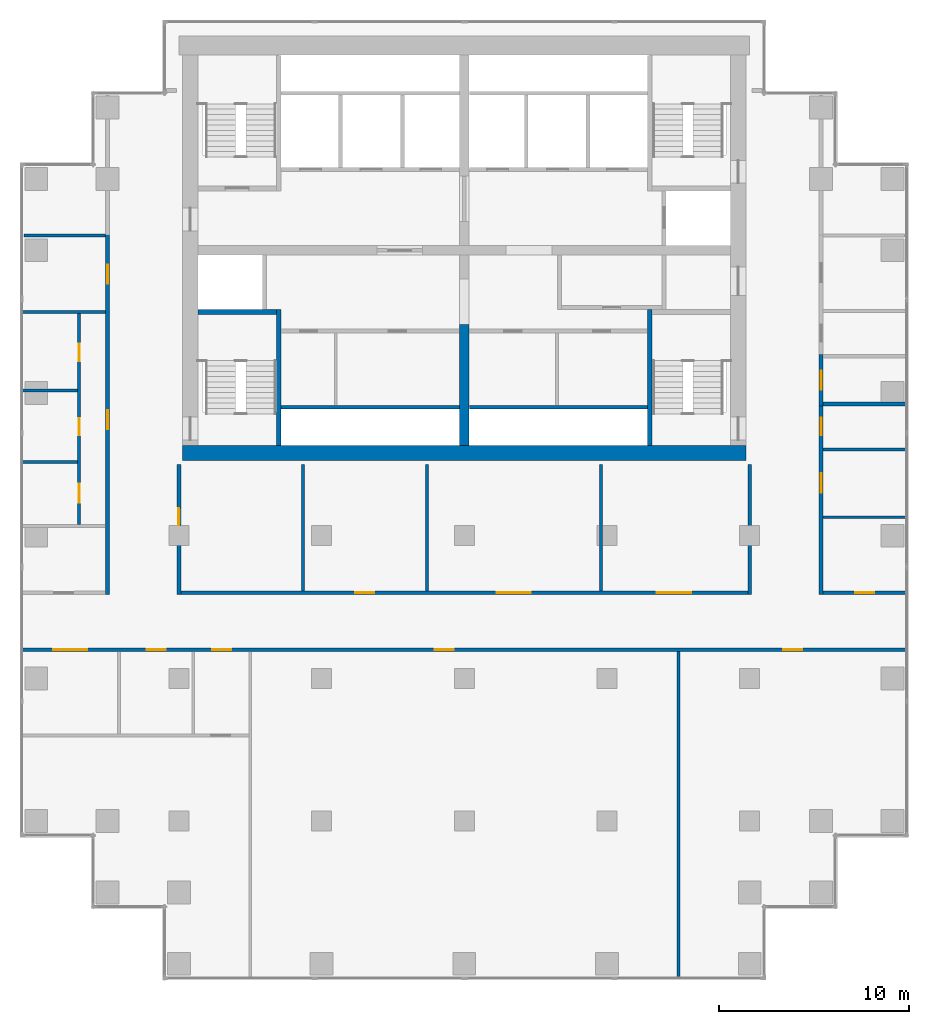
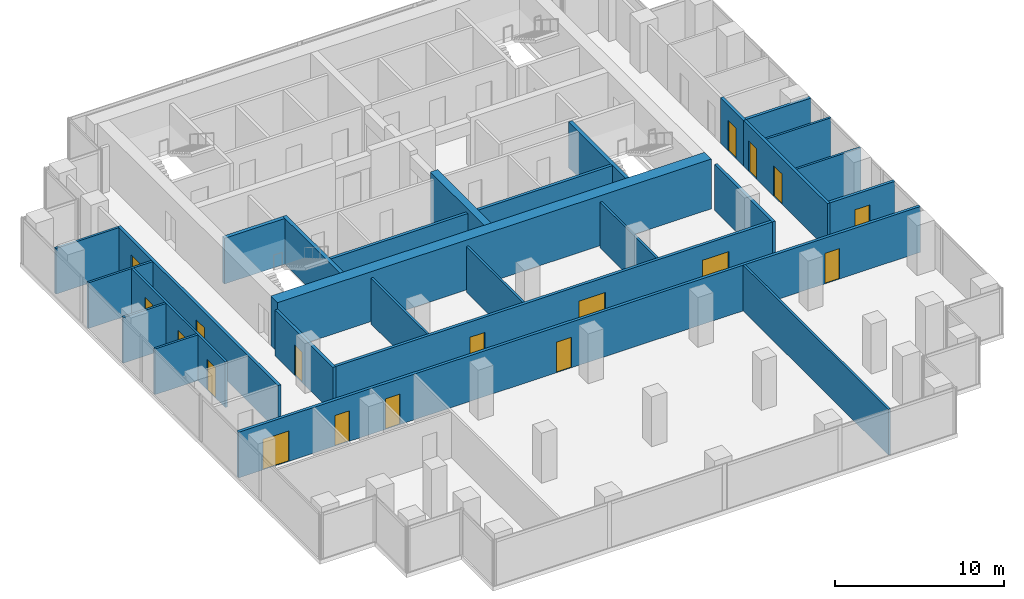
# One storey, part 7 of 10: 27 walls, 18 doors, 18 openings.
"""IFC4 building model written with IfcOpenShell, lengths in metres."""

from ifc_helpers import new_model, si_unit, direction, frame, frame_2d, origin, place, context, subcontext, project, spatial, rectangle, extrude, material, layer, layer_set, type_object, element, fill, save


model = new_model("IFC4")

# Units and contexts
model_context = context("Model", 3, precision=1e-05, world=origin(), true_north=direction((0.0, 1.0)))
body_context = subcontext(model_context, "Body", "Model", "MODEL_VIEW")
ifc_project = project(units=[si_unit("LENGTHUNIT", "METRE"), si_unit("AREAUNIT", "SQUARE_METRE"), si_unit("VOLUMEUNIT", "CUBIC_METRE"), si_unit("PLANEANGLEUNIT", "RADIAN"), si_unit("MASSUNIT", "GRAM", prefix="KILO")], contexts=[model_context])

# Site, building, storey
site_placement = place(None, origin())
site = spatial("IfcSite", under=ifc_project, at=site_placement, CompositionType="ELEMENT")
building_placement = place(site_placement, origin())
building = spatial("IfcBuilding", under=site, at=building_placement, Name="Pilkhan Gate Tower", CompositionType="ELEMENT")
storey_placement = place(building_placement, frame((0.0, 0.0, 154.89990234375)))
storey = spatial("IfcBuildingStorey", under=building, at=storey_placement, Name="L39", CompositionType="ELEMENT", Elevation=154.89990234375)

# Wall
ifc_material_1 = material(Name="Concrete C60/75", Category="concrete")
ifc_layer_1 = layer(ifc_material_1, 0.800048828125)
ifc_layer_set_1 = layer_set([ifc_layer_1], Name="Core wall CW800 C60/75")
wall_type_1 = type_object("IfcWallType", Name="Core wall CW800 C60/75", PredefinedType="SHEAR", material=ifc_layer_set_1)
wall_1_placement = place(storey_placement, frame((60.199951171875, 71.85009765625, 0.0), z_axis=(0.0, 0.0, 1.0), x_axis=(1.0, 0.0, 0.0)))
element("IfcWall", 1, at=wall_1_placement, inside=storey, type_object=wall_type_1, Name="Core wall S L39", PredefinedType="SHEAR", context=body_context, shape_type="SweptSolid", body=[
    extrude(rectangle(XDim=29.60009765625, YDim=0.800048828125, at=frame_2d((14.800048828125, 0.0))), origin(), (0.0, 0.0, 1.0), 3.60009765625),
])

# Wall, openings, doors
ifc_material_2 = material(Name="Dense blockwork", Category="masonry")
ifc_layer_2 = layer(ifc_material_2, 0.199951171875)
ifc_layer_set_2 = layer_set([ifc_layer_2], Name="Corridor wall FW200")
wall_type_2 = type_object("IfcWallType", Name="Corridor wall FW200", PredefinedType="PARTITIONING", material=ifc_layer_set_2)
wall_2_placement = place(storey_placement, frame((51.735107421875, 61.5, 0.0), z_axis=(0.0, 0.0, 1.0), x_axis=(1.0, 0.0, 0.0)))
wall_2 = element("IfcWall", 2, at=wall_2_placement, inside=storey, type_object=wall_type_2, Name="Partition L39", PredefinedType="PARTITIONING", context=body_context, shape_type="SweptSolid", body=[
    extrude(rectangle(XDim=46.52978515625, YDim=0.199951171875, at=frame_2d((23.264892578125, 0.0))), origin(), (0.0, 0.0, 1.0), 3.300048828125),
])
opening_1_placement = place(wall_2_placement, frame((10.014892578125, 0.0, 0.0)))
opening_1 = element("IfcOpeningElement", 3, at=opening_1_placement, cuts=wall_2, Name="Opening L39-06", PredefinedType="OPENING", context=body_context, shape_type="SweptSolid", body=[
    extrude(rectangle(XDim=1.0, YDim=2.199951171875, at=frame_2d((0.5, 1.10009765625))), frame((0.0, 0.10986328125, 0.0), z_axis=(0.0, -1.0, 0.0), x_axis=(1.0, 0.0, 0.0)), (0.0, 0.0, 1.0), 0.219970703125),
])
opening_2_placement = place(wall_2_placement, frame((1.64990234375, 0.0, 0.0)))
opening_2 = element("IfcOpeningElement", 4, at=opening_2_placement, cuts=wall_2, Name="Opening L39-18", PredefinedType="OPENING", context=body_context, shape_type="SweptSolid", body=[
    extrude(rectangle(XDim=1.800048828125, YDim=2.199951171875, at=frame_2d((0.89990234375, 1.10009765625))), frame((0.0, 0.10986328125, 0.0), z_axis=(0.0, -1.0, 0.0), x_axis=(1.0, 0.0, 0.0)), (0.0, 0.0, 1.0), 0.219970703125),
])
opening_3_placement = place(wall_2_placement, frame((6.571044921875, 0.0, 0.0)))
opening_3 = element("IfcOpeningElement", 5, at=opening_3_placement, cuts=wall_2, Name="Opening L39-19", PredefinedType="OPENING", context=body_context, shape_type="SweptSolid", body=[
    extrude(rectangle(XDim=1.0, YDim=2.199951171875, at=frame_2d((0.5, 1.10009765625))), frame((0.0, 0.10986328125, 0.0), z_axis=(0.0, -1.0, 0.0), x_axis=(1.0, 0.0, 0.0)), (0.0, 0.0, 1.0), 0.219970703125),
])
opening_4_placement = place(wall_2_placement, frame((21.715087890625, 0.0, 0.0)))
opening_4 = element("IfcOpeningElement", 6, at=opening_4_placement, cuts=wall_2, Name="Opening L39-21", PredefinedType="OPENING", context=body_context, shape_type="SweptSolid", body=[
    extrude(rectangle(XDim=1.0, YDim=2.199951171875, at=frame_2d((0.5, 1.10009765625))), frame((0.0, 0.10986328125, 0.0), z_axis=(0.0, -1.0, 0.0), x_axis=(1.0, 0.0, 0.0)), (0.0, 0.0, 1.0), 0.219970703125),
])
opening_5_placement = place(wall_2_placement, frame((40.014892578125, 0.0, 0.0)))
opening_5 = element("IfcOpeningElement", 7, at=opening_5_placement, cuts=wall_2, Name="Opening L39-22", PredefinedType="OPENING", context=body_context, shape_type="SweptSolid", body=[
    extrude(rectangle(XDim=1.0, YDim=2.199951171875, at=frame_2d((0.5, 1.10009765625))), frame((0.0, 0.10986328125, 0.0), z_axis=(0.0, -1.0, 0.0), x_axis=(1.0, 0.0, 0.0)), (0.0, 0.0, 1.0), 0.219970703125),
])
ifc_material_3 = material(Name="Timber glazed double door, 30 minute fire resisting", Category="wood")
door_type_1 = type_object("IfcDoorType", Name="Double door D04 1800x2200", OperationType="DOUBLE_DOOR_SINGLE_SWING", PredefinedType="DOOR", material=ifc_material_3)
door_1_placement = place(opening_2_placement, origin())
door_1 = element("IfcDoor", 8, at=door_1_placement, inside=storey, type_object=door_type_1, Name="Double door", OperationType="DOUBLE_DOOR_SINGLE_SWING", OverallHeight=2.199951171875, OverallWidth=1.800048828125, PredefinedType="DOOR", context=body_context, shape_type="SweptSolid", body=[
    extrude(rectangle(XDim=1.800048828125, YDim=2.199951171875, at=frame_2d((0.89990234375, 1.10009765625))), frame((0.0, 0.02490234375, 0.0), z_axis=(0.0, -1.0, 0.0), x_axis=(1.0, 0.0, 0.0)), (0.0, 0.0, 1.0), 0.050048828125),
])
fill(opening_2, door_1)
ifc_material_4 = material(Name="Timber flush door, 30 minute fire resisting", Category="wood")
door_type_2 = type_object("IfcDoorType", Name="Room door D03 1000x2200", OperationType="SINGLE_SWING_LEFT", PredefinedType="DOOR", material=ifc_material_4)
door_2_placement = place(opening_1_placement, origin())
door_2 = element("IfcDoor", 9, at=door_2_placement, inside=storey, type_object=door_type_2, Name="Room door", OperationType="SINGLE_SWING_RIGHT", OverallHeight=2.199951171875, OverallWidth=1.0, PredefinedType="DOOR", context=body_context, shape_type="SweptSolid", body=[
    extrude(rectangle(XDim=1.0, YDim=2.199951171875, at=frame_2d((0.5, 1.10009765625))), frame((0.0, 0.02490234375, 0.0), z_axis=(0.0, -1.0, 0.0), x_axis=(1.0, 0.0, 0.0)), (0.0, 0.0, 1.0), 0.050048828125),
])
fill(opening_1, door_2)
door_3_placement = place(opening_3_placement, origin())
door_3 = element("IfcDoor", 10, at=door_3_placement, inside=storey, type_object=door_type_2, Name="Room door", OperationType="SINGLE_SWING_LEFT", OverallHeight=2.199951171875, OverallWidth=1.0, PredefinedType="DOOR", context=body_context, shape_type="SweptSolid", body=[
    extrude(rectangle(XDim=1.0, YDim=2.199951171875, at=frame_2d((0.5, 1.10009765625))), frame((0.0, 0.02490234375, 0.0), z_axis=(0.0, -1.0, 0.0), x_axis=(1.0, 0.0, 0.0)), (0.0, 0.0, 1.0), 0.050048828125),
])
fill(opening_3, door_3)
door_4_placement = place(opening_4_placement, origin())
door_4 = element("IfcDoor", 11, at=door_4_placement, inside=storey, type_object=door_type_2, Name="Room door", OperationType="SINGLE_SWING_LEFT", OverallHeight=2.199951171875, OverallWidth=1.0, PredefinedType="DOOR", context=body_context, shape_type="SweptSolid", body=[
    extrude(rectangle(XDim=1.0, YDim=2.199951171875, at=frame_2d((0.5, 1.10009765625))), frame((0.0, 0.02490234375, 0.0), z_axis=(0.0, -1.0, 0.0), x_axis=(1.0, 0.0, 0.0)), (0.0, 0.0, 1.0), 0.050048828125),
])
fill(opening_4, door_4)
door_5_placement = place(opening_5_placement, origin())
door_5 = element("IfcDoor", 12, at=door_5_placement, inside=storey, type_object=door_type_2, Name="Room door", OperationType="SINGLE_SWING_LEFT", OverallHeight=2.199951171875, OverallWidth=1.0, PredefinedType="DOOR", context=body_context, shape_type="SweptSolid", body=[
    extrude(rectangle(XDim=1.0, YDim=2.199951171875, at=frame_2d((0.5, 1.10009765625))), frame((0.0, 0.02490234375, 0.0), z_axis=(0.0, -1.0, 0.0), x_axis=(1.0, 0.0, 0.0)), (0.0, 0.0, 1.0), 0.050048828125),
])
fill(opening_5, door_5)

wall_3_placement = place(storey_placement, frame((60.10009765625, 64.5, 0.0), z_axis=(0.0, 0.0, 1.0), x_axis=(1.0, 0.0, 0.0)))
wall_3 = element("IfcWall", 13, at=wall_3_placement, inside=storey, type_object=wall_type_2, Name="Partition L39", PredefinedType="PARTITIONING", context=body_context, shape_type="SweptSolid", body=[
    extrude(rectangle(XDim=29.7998046875, YDim=0.199951171875, at=frame_2d((14.89990234375, 0.0))), origin(), (0.0, 0.0, 1.0), 3.300048828125),
])
opening_6_placement = place(wall_3_placement, frame((9.172119140625, 0.0, 0.0)))
opening_6 = element("IfcOpeningElement", 14, at=opening_6_placement, cuts=wall_3, Name="Opening L39-32", PredefinedType="OPENING", context=body_context, shape_type="SweptSolid", body=[
    extrude(rectangle(XDim=1.0, YDim=2.199951171875, at=frame_2d((0.5, 1.10009765625))), frame((0.0, 0.10986328125, 0.0), z_axis=(0.0, -1.0, 0.0), x_axis=(1.0, 0.0, 0.0)), (0.0, 0.0, 1.0), 0.219970703125),
])
opening_7_placement = place(wall_3_placement, frame((16.593017578125, 0.0, 0.0)))
opening_7 = element("IfcOpeningElement", 15, at=opening_7_placement, cuts=wall_3, Name="Opening L39-33", PredefinedType="OPENING", context=body_context, shape_type="SweptSolid", body=[
    extrude(rectangle(XDim=1.800048828125, YDim=2.199951171875, at=frame_2d((0.89990234375, 1.10009765625))), frame((0.0, 0.10986328125, 0.0), z_axis=(0.0, -1.0, 0.0), x_axis=(1.0, 0.0, 0.0)), (0.0, 0.0, 1.0), 0.219970703125),
])
opening_8_placement = place(wall_3_placement, frame((25.02392578125, 0.0, 0.0)))
opening_8 = element("IfcOpeningElement", 16, at=opening_8_placement, cuts=wall_3, Name="Opening L39-34", PredefinedType="OPENING", context=body_context, shape_type="SweptSolid", body=[
    extrude(rectangle(XDim=1.800048828125, YDim=2.199951171875, at=frame_2d((0.89990234375, 1.10009765625))), frame((0.0, 0.10986328125, 0.0), z_axis=(0.0, -1.0, 0.0), x_axis=(1.0, 0.0, 0.0)), (0.0, 0.0, 1.0), 0.219970703125),
])
door_6_placement = place(opening_7_placement, origin())
door_6 = element("IfcDoor", 17, at=door_6_placement, inside=storey, type_object=door_type_1, Name="Double door", OperationType="DOUBLE_DOOR_SINGLE_SWING", OverallHeight=2.199951171875, OverallWidth=1.800048828125, PredefinedType="DOOR", context=body_context, shape_type="SweptSolid", body=[
    extrude(rectangle(XDim=1.800048828125, YDim=2.199951171875, at=frame_2d((0.89990234375, 1.10009765625))), frame((0.0, 0.02490234375, 0.0), z_axis=(0.0, -1.0, 0.0), x_axis=(1.0, 0.0, 0.0)), (0.0, 0.0, 1.0), 0.050048828125),
])
fill(opening_7, door_6)
door_7_placement = place(opening_8_placement, origin())
door_7 = element("IfcDoor", 18, at=door_7_placement, inside=storey, type_object=door_type_1, Name="Double door", OperationType="DOUBLE_DOOR_SINGLE_SWING", OverallHeight=2.199951171875, OverallWidth=1.800048828125, PredefinedType="DOOR", context=body_context, shape_type="SweptSolid", body=[
    extrude(rectangle(XDim=1.800048828125, YDim=2.199951171875, at=frame_2d((0.89990234375, 1.10009765625))), frame((0.0, 0.02490234375, 0.0), z_axis=(0.0, -1.0, 0.0), x_axis=(1.0, 0.0, 0.0)), (0.0, 0.0, 1.0), 0.050048828125),
])
fill(opening_8, door_7)
door_8_placement = place(opening_6_placement, origin())
door_8 = element("IfcDoor", 19, at=door_8_placement, inside=storey, type_object=door_type_2, Name="Room door", OperationType="SINGLE_SWING_LEFT", OverallHeight=2.199951171875, OverallWidth=1.0, PredefinedType="DOOR", context=body_context, shape_type="SweptSolid", body=[
    extrude(rectangle(XDim=1.0, YDim=2.199951171875, at=frame_2d((0.5, 1.10009765625))), frame((0.0, 0.02490234375, 0.0), z_axis=(0.0, -1.0, 0.0), x_axis=(1.0, 0.0, 0.0)), (0.0, 0.0, 1.0), 0.050048828125),
])
fill(opening_6, door_8)

# Wall, opening, door
wall_4_placement = place(storey_placement, frame((93.85009765625, 64.5, 0.0), z_axis=(0.0, 0.0, 1.0), x_axis=(1.0, 0.0, 0.0)))
wall_4 = element("IfcWall", 20, at=wall_4_placement, inside=storey, type_object=wall_type_2, Name="Partition L39", PredefinedType="PARTITIONING", context=body_context, shape_type="SweptSolid", body=[
    extrude(rectangle(XDim=4.414794921875, YDim=0.199951171875, at=frame_2d((2.20751953125, 0.0))), origin(), (0.0, 0.0, 1.0), 3.300048828125),
])
opening_9_placement = place(wall_4_placement, frame((1.699951171875, 0.0, 0.0)))
opening_9 = element("IfcOpeningElement", 21, at=opening_9_placement, cuts=wall_4, Name="Opening L39-27", PredefinedType="OPENING", context=body_context, shape_type="SweptSolid", body=[
    extrude(rectangle(XDim=1.0, YDim=2.199951171875, at=frame_2d((0.5, 1.10009765625))), frame((0.0, 0.10986328125, 0.0), z_axis=(0.0, -1.0, 0.0), x_axis=(1.0, 0.0, 0.0)), (0.0, 0.0, 1.0), 0.219970703125),
])
door_9_placement = place(opening_9_placement, origin())
door_9 = element("IfcDoor", 22, at=door_9_placement, inside=storey, type_object=door_type_2, Name="Room door", OperationType="SINGLE_SWING_LEFT", OverallHeight=2.199951171875, OverallWidth=1.0, PredefinedType="DOOR", context=body_context, shape_type="SweptSolid", body=[
    extrude(rectangle(XDim=1.0, YDim=2.199951171875, at=frame_2d((0.5, 1.10009765625))), frame((0.0, 0.02490234375, 0.0), z_axis=(0.0, -1.0, 0.0), x_axis=(1.0, 0.0, 0.0)), (0.0, 0.0, 1.0), 0.050048828125),
])
fill(opening_9, door_9)

# Wall, openings, doors
wall_5_placement = place(storey_placement, frame((56.25, 64.39990234375, 0.0), z_axis=(0.0, 0.0, 1.0), x_axis=(0.0, 1.0, 0.0)))
wall_5 = element("IfcWall", 23, at=wall_5_placement, inside=storey, type_object=wall_type_2, Name="Partition L39", PredefinedType="PARTITIONING", context=body_context, shape_type="SweptSolid", body=[
    extrude(rectangle(XDim=18.955078125, YDim=0.199951171875, at=frame_2d((9.4775390625, 0.0))), origin(), (0.0, 0.0, 1.0), 3.300048828125),
])
opening_10_placement = place(wall_5_placement, frame((8.699951171875, 0.0, 0.0)))
opening_10 = element("IfcOpeningElement", 24, at=opening_10_placement, cuts=wall_5, Name="Opening L39-07", PredefinedType="OPENING", context=body_context, shape_type="SweptSolid", body=[
    extrude(rectangle(XDim=1.0, YDim=2.199951171875, at=frame_2d((0.5, 1.10009765625))), frame((0.0, 0.10986328125, 0.0), z_axis=(0.0, -1.0, 0.0), x_axis=(1.0, 0.0, 0.0)), (0.0, 0.0, 1.0), 0.219970703125),
])
opening_11_placement = place(wall_5_placement, frame((16.35009765625, 0.0, 0.0)))
opening_11 = element("IfcOpeningElement", 25, at=opening_11_placement, cuts=wall_5, Name="Opening L39-08", PredefinedType="OPENING", context=body_context, shape_type="SweptSolid", body=[
    extrude(rectangle(XDim=1.0, YDim=2.199951171875, at=frame_2d((0.5, 1.10009765625))), frame((0.0, 0.10986328125, 0.0), z_axis=(0.0, -1.0, 0.0), x_axis=(1.0, 0.0, 0.0)), (0.0, 0.0, 1.0), 0.219970703125),
])
door_10_placement = place(opening_10_placement, origin())
door_10 = element("IfcDoor", 26, at=door_10_placement, inside=storey, type_object=door_type_2, Name="Toilet lobby door", OperationType="SINGLE_SWING_RIGHT", OverallHeight=2.199951171875, OverallWidth=1.0, PredefinedType="DOOR", context=body_context, shape_type="SweptSolid", body=[
    extrude(rectangle(XDim=1.0, YDim=2.199951171875, at=frame_2d((0.5, 1.10009765625))), frame((0.0, 0.02490234375, 0.0), z_axis=(0.0, -1.0, 0.0), x_axis=(1.0, 0.0, 0.0)), (0.0, 0.0, 1.0), 0.050048828125),
])
fill(opening_10, door_10)
door_11_placement = place(opening_11_placement, origin())
door_11 = element("IfcDoor", 27, at=door_11_placement, inside=storey, type_object=door_type_2, Name="Room door", OperationType="SINGLE_SWING_LEFT", OverallHeight=2.199951171875, OverallWidth=1.0, PredefinedType="DOOR", context=body_context, shape_type="SweptSolid", body=[
    extrude(rectangle(XDim=1.0, YDim=2.199951171875, at=frame_2d((0.5, 1.10009765625))), frame((0.0, 0.02490234375, 0.0), z_axis=(0.0, -1.0, 0.0), x_axis=(1.0, 0.0, 0.0)), (0.0, 0.0, 1.0), 0.050048828125),
])
fill(opening_11, door_11)

# Wall, opening, door
wall_6_placement = place(storey_placement, frame((60.0, 64.39990234375, 0.0), z_axis=(0.0, 0.0, 1.0), x_axis=(0.0, 1.0, 0.0)))
wall_6 = element("IfcWall", 28, at=wall_6_placement, inside=storey, type_object=wall_type_2, Name="Partition L39", PredefinedType="PARTITIONING", context=body_context, shape_type="SweptSolid", body=[
    extrude(rectangle(XDim=6.85009765625, YDim=0.199951171875, at=frame_2d((3.425048828125, 0.0))), origin(), (0.0, 0.0, 1.0), 3.300048828125),
])
opening_12_placement = place(wall_6_placement, frame((3.64990234375, 0.0, 0.0)))
opening_12 = element("IfcOpeningElement", 29, at=opening_12_placement, cuts=wall_6, Name="Opening L39-31", PredefinedType="OPENING", context=body_context, shape_type="SweptSolid", body=[
    extrude(rectangle(XDim=0.89990234375, YDim=2.199951171875, at=frame_2d((0.449951171875, 1.10009765625))), frame((0.0, 0.10986328125, 0.0), z_axis=(0.0, -1.0, 0.0), x_axis=(1.0, 0.0, 0.0)), (0.0, 0.0, 1.0), 0.219970703125),
])
ifc_material_5 = material(Name="Timber flush door, 60 minute fire resisting, self-closing", Category="wood")
door_type_3 = type_object("IfcDoorType", Name="Store door D05 900x2200", OperationType="SINGLE_SWING_LEFT", PredefinedType="DOOR", material=ifc_material_5)
door_12_placement = place(opening_12_placement, origin())
door_12 = element("IfcDoor", 30, at=door_12_placement, inside=storey, type_object=door_type_3, Name="Store door", OperationType="SINGLE_SWING_LEFT", OverallHeight=2.199951171875, OverallWidth=0.89990234375, PredefinedType="DOOR", context=body_context, shape_type="SweptSolid", body=[
    extrude(rectangle(XDim=0.89990234375, YDim=2.199951171875, at=frame_2d((0.449951171875, 1.10009765625))), frame((0.0, 0.02490234375, 0.0), z_axis=(0.0, -1.0, 0.0), x_axis=(1.0, 0.0, 0.0)), (0.0, 0.0, 1.0), 0.050048828125),
])
fill(opening_12, door_12)

# Wall
wall_7_placement = place(storey_placement, frame((90.0, 64.39990234375, 0.0), z_axis=(0.0, 0.0, 1.0), x_axis=(0.0, 1.0, 0.0)))
element("IfcWall", 31, at=wall_7_placement, inside=storey, type_object=wall_type_2, Name="Partition L39", PredefinedType="PARTITIONING", context=body_context, shape_type="SweptSolid", body=[
    extrude(rectangle(XDim=6.85009765625, YDim=0.199951171875, at=frame_2d((3.425048828125, 0.0))), origin(), (0.0, 0.0, 1.0), 3.300048828125),
])

# Wall, openings, doors
wall_8_placement = place(storey_placement, frame((93.75, 64.39990234375, 0.0), z_axis=(0.0, 0.0, 1.0), x_axis=(0.0, 1.0, 0.0)))
wall_8 = element("IfcWall", 32, at=wall_8_placement, inside=storey, type_object=wall_type_2, Name="Partition L39", PredefinedType="PARTITIONING", context=body_context, shape_type="SweptSolid", body=[
    extrude(rectangle(XDim=10.01904296875, YDim=0.199951171875, at=frame_2d((5.009521484375, 0.0))), origin(), (0.0, 0.0, 1.0), 3.300048828125),
])
opening_13_placement = place(wall_8_placement, frame((5.367919921875, 0.0, 0.0)))
opening_13 = element("IfcOpeningElement", 33, at=opening_13_placement, cuts=wall_8, Name="Opening L39-09", PredefinedType="OPENING", context=body_context, shape_type="SweptSolid", body=[
    extrude(rectangle(XDim=1.0, YDim=2.199951171875, at=frame_2d((0.5, 1.10009765625))), frame((0.0, 0.10986328125, 0.0), z_axis=(0.0, -1.0, 0.0), x_axis=(1.0, 0.0, 0.0)), (0.0, 0.0, 1.0), 0.219970703125),
])
opening_14_placement = place(wall_8_placement, frame((8.387939453125, 0.0, 0.0)))
opening_14 = element("IfcOpeningElement", 34, at=opening_14_placement, cuts=wall_8, Name="Opening L39-28", PredefinedType="OPENING", context=body_context, shape_type="SweptSolid", body=[
    extrude(rectangle(XDim=0.89990234375, YDim=2.199951171875, at=frame_2d((0.449951171875, 1.10009765625))), frame((0.0, 0.10986328125, 0.0), z_axis=(0.0, -1.0, 0.0), x_axis=(1.0, 0.0, 0.0)), (0.0, 0.0, 1.0), 0.219970703125),
])
door_13_placement = place(opening_13_placement, origin())
door_13 = element("IfcDoor", 35, at=door_13_placement, inside=storey, type_object=door_type_2, Name="Room door", OperationType="SINGLE_SWING_RIGHT", OverallHeight=2.199951171875, OverallWidth=1.0, PredefinedType="DOOR", context=body_context, shape_type="SweptSolid", body=[
    extrude(rectangle(XDim=1.0, YDim=2.199951171875, at=frame_2d((0.5, 1.10009765625))), frame((0.0, 0.02490234375, 0.0), z_axis=(0.0, -1.0, 0.0), x_axis=(1.0, 0.0, 0.0)), (0.0, 0.0, 1.0), 0.050048828125),
])
fill(opening_13, door_13)
door_14_placement = place(opening_14_placement, origin())
door_14 = element("IfcDoor", 36, at=door_14_placement, inside=storey, type_object=door_type_3, Name="Store door", OperationType="SINGLE_SWING_LEFT", OverallHeight=2.199951171875, OverallWidth=0.89990234375, PredefinedType="DOOR", context=body_context, shape_type="SweptSolid", body=[
    extrude(rectangle(XDim=0.89990234375, YDim=2.199951171875, at=frame_2d((0.449951171875, 1.10009765625))), frame((0.0, 0.02490234375, 0.0), z_axis=(0.0, -1.0, 0.0), x_axis=(1.0, 0.0, 0.0)), (0.0, 0.0, 1.0), 0.050048828125),
])
fill(opening_14, door_14)

# Walls
ifc_layer_3 = layer(ifc_material_2, 0.199951171875)
ifc_layer_set_3 = layer_set([ifc_layer_3], Name="Lobby wall LW200")
wall_type_3 = type_object("IfcWallType", Name="Lobby wall LW200", PredefinedType="PARTITIONING", material=ifc_layer_set_3)
for number, where, z_axis, x_axis, name in (
    (37, (65.375, 74.25, 0.0), (0.0, 0.0, 1.0), (1.0, 0.0, 0.0), "Partition L39"),
    (38, (75.260009765625, 74.25, 0.0), (0.0, 0.0, 1.0), (1.0, 0.0, 0.0), "Partition L39"),
):
    element("IfcWall", number, at=place(storey_placement, frame(where, z_axis=z_axis, x_axis=x_axis)), inside=storey, type_object=wall_type_3, Name=name, PredefinedType="PARTITIONING", context=body_context, shape_type="SweptSolid", body=[
        extrude(rectangle(XDim=9.364990234375, YDim=0.199951171875, at=frame_2d((4.6826171875, 0.0))), origin(), (0.0, 0.0, 1.0), 3.300048828125),
    ])
wall_9_placement = place(storey_placement, frame((93.85009765625, 74.4189453125, 0.0), z_axis=(0.0, 0.0, 1.0), x_axis=(1.0, 0.0, 0.0)))
element("IfcWall", 39, at=wall_9_placement, inside=storey, type_object=wall_type_3, Name="Partition L39", PredefinedType="PARTITIONING", context=body_context, shape_type="SweptSolid", body=[
    extrude(rectangle(XDim=4.414794921875, YDim=0.199951171875, at=frame_2d((2.20751953125, 0.0))), origin(), (0.0, 0.0, 1.0), 3.300048828125),
])

# Wall, opening, door
wall_10_placement = place(storey_placement, frame((93.75, 74.319091796875, 0.0), z_axis=(0.0, 0.0, 1.0), x_axis=(0.0, 1.0, 0.0)))
wall_10 = element("IfcWall", 40, at=wall_10_placement, inside=storey, type_object=wall_type_3, Name="Partition L39", PredefinedType="PARTITIONING", context=body_context, shape_type="SweptSolid", body=[
    extrude(rectangle(XDim=2.712890625, YDim=0.199951171875, at=frame_2d((1.3564453125, 0.0))), origin(), (0.0, 0.0, 1.0), 3.300048828125),
])
opening_15_placement = place(wall_10_placement, frame((0.85009765625, 0.0, 0.0)))
opening_15 = element("IfcOpeningElement", 41, at=opening_15_placement, cuts=wall_10, Name="Opening L39-10", PredefinedType="OPENING", context=body_context, shape_type="SweptSolid", body=[
    extrude(rectangle(XDim=1.0, YDim=2.199951171875, at=frame_2d((0.5, 1.10009765625))), frame((0.0, 0.10986328125, 0.0), z_axis=(0.0, -1.0, 0.0), x_axis=(1.0, 0.0, 0.0)), (0.0, 0.0, 1.0), 0.219970703125),
])
door_15_placement = place(opening_15_placement, origin())
door_15 = element("IfcDoor", 42, at=door_15_placement, inside=storey, type_object=door_type_2, Name="Room door", OperationType="SINGLE_SWING_LEFT", OverallHeight=2.199951171875, OverallWidth=1.0, PredefinedType="DOOR", context=body_context, shape_type="SweptSolid", body=[
    extrude(rectangle(XDim=1.0, YDim=2.199951171875, at=frame_2d((0.5, 1.10009765625))), frame((0.0, 0.02490234375, 0.0), z_axis=(0.0, -1.0, 0.0), x_axis=(1.0, 0.0, 0.0)), (0.0, 0.0, 1.0), 0.050048828125),
])
fill(opening_15, door_15)

# Walls
ifc_material_6 = material(Name="Blockwork partition, plastered both sides", Category="masonry")
ifc_layer_4 = layer(ifc_material_6, 0.14990234375)
ifc_layer_set_4 = layer_set([ifc_layer_4], Name="Partition PW150")
wall_type_4 = type_object("IfcWallType", Name="Partition PW150", PredefinedType="PARTITIONING", material=ifc_layer_set_4)
wall_11_placement = place(storey_placement, frame((93.85009765625, 68.468017578125, 0.0), z_axis=(0.0, 0.0, 1.0), x_axis=(1.0, 0.0, 0.0)))
element("IfcWall", 43, at=wall_11_placement, inside=storey, type_object=wall_type_4, Name="Partition L39", PredefinedType="PARTITIONING", context=body_context, shape_type="SweptSolid", body=[
    extrude(rectangle(XDim=4.414794921875, YDim=0.14990234375, at=frame_2d((2.20751953125, 0.0))), origin(), (0.0, 0.0, 1.0), 3.300048828125),
])
wall_12_placement = place(storey_placement, frame((51.735107421875, 71.375, 0.0), z_axis=(0.0, 0.0, 1.0), x_axis=(1.0, 0.0, 0.0)))
element("IfcWall", 44, at=wall_12_placement, inside=storey, type_object=wall_type_4, Name="Partition L39", PredefinedType="PARTITIONING", context=body_context, shape_type="SweptSolid", body=[
    extrude(rectangle(XDim=2.93994140625, YDim=0.14990234375, at=frame_2d((1.469970703125, 0.0))), origin(), (0.0, 0.0, 1.0), 3.300048828125),
])
wall_13_placement = place(storey_placement, frame((93.85009765625, 72.0380859375, 0.0), z_axis=(0.0, 0.0, 1.0), x_axis=(1.0, 0.0, 0.0)))
element("IfcWall", 45, at=wall_13_placement, inside=storey, type_object=wall_type_4, Name="Partition L39", PredefinedType="PARTITIONING", context=body_context, shape_type="SweptSolid", body=[
    extrude(rectangle(XDim=4.414794921875, YDim=0.14990234375, at=frame_2d((2.20751953125, 0.0))), origin(), (0.0, 0.0, 1.0), 3.300048828125),
])
wall_14_placement = place(storey_placement, frame((51.735107421875, 75.125, 0.0), z_axis=(0.0, 0.0, 1.0), x_axis=(1.0, 0.0, 0.0)))
element("IfcWall", 46, at=wall_14_placement, inside=storey, type_object=wall_type_4, Name="Partition L39", PredefinedType="PARTITIONING", context=body_context, shape_type="SweptSolid", body=[
    extrude(rectangle(XDim=2.93994140625, YDim=0.14990234375, at=frame_2d((1.469970703125, 0.0))), origin(), (0.0, 0.0, 1.0), 3.300048828125),
])
wall_15_placement = place(storey_placement, frame((51.735107421875, 79.25, 0.0), z_axis=(0.0, 0.0, 1.0), x_axis=(1.0, 0.0, 0.0)))
element("IfcWall", 47, at=wall_15_placement, inside=storey, type_object=wall_type_4, Name="Partition L39", PredefinedType="PARTITIONING", context=body_context, shape_type="SweptSolid", body=[
    extrude(rectangle(XDim=4.414794921875, YDim=0.14990234375, at=frame_2d((2.20751953125, 0.0))), origin(), (0.0, 0.0, 1.0), 3.300048828125),
])
wall_16_placement = place(storey_placement, frame((51.85498046875, 83.280029296875, 0.0), z_axis=(0.0, 0.0, 1.0), x_axis=(1.0, 0.0, 0.0)))
element("IfcWall", 48, at=wall_16_placement, inside=storey, type_object=wall_type_4, Name="Partition L39", PredefinedType="PARTITIONING", context=body_context, shape_type="SweptSolid", body=[
    extrude(rectangle(XDim=4.294921875, YDim=0.14990234375, at=frame_2d((2.1474609375, 0.0))), origin(), (0.0, 0.0, 1.0), 3.300048828125),
])

# Wall, openings, doors
wall_17_placement = place(storey_placement, frame((54.75, 68.074951171875, 0.0), z_axis=(0.0, 0.0, 1.0), x_axis=(0.0, 1.0, 0.0)))
wall_17 = element("IfcWall", 49, at=wall_17_placement, inside=storey, type_object=wall_type_4, Name="Partition L39", PredefinedType="PARTITIONING", context=body_context, shape_type="SweptSolid", body=[
    extrude(rectangle(XDim=11.10009765625, YDim=0.14990234375, at=frame_2d((5.550048828125, 0.0))), origin(), (0.0, 0.0, 1.0), 3.300048828125),
])
opening_16_placement = place(wall_17_placement, frame((1.14990234375, 0.0, 0.0)))
opening_16 = element("IfcOpeningElement", 50, at=opening_16_placement, cuts=wall_17, Name="Opening L39-23", PredefinedType="OPENING", context=body_context, shape_type="SweptSolid", body=[
    extrude(rectangle(XDim=1.0, YDim=2.199951171875, at=frame_2d((0.5, 1.10009765625))), frame((0.0, 0.0849609375, 0.0), z_axis=(0.0, -1.0, 0.0), x_axis=(1.0, 0.0, 0.0)), (0.0, 0.0, 1.0), 0.169921875),
])
opening_17_placement = place(wall_17_placement, frame((4.699951171875, 0.0, 0.0)))
opening_17 = element("IfcOpeningElement", 51, at=opening_17_placement, cuts=wall_17, Name="Opening L39-24", PredefinedType="OPENING", context=body_context, shape_type="SweptSolid", body=[
    extrude(rectangle(XDim=0.89990234375, YDim=2.199951171875, at=frame_2d((0.449951171875, 1.10009765625))), frame((0.0, 0.0849609375, 0.0), z_axis=(0.0, -1.0, 0.0), x_axis=(1.0, 0.0, 0.0)), (0.0, 0.0, 1.0), 0.169921875),
])
opening_18_placement = place(wall_17_placement, frame((8.60009765625, 0.0, 0.0)))
opening_18 = element("IfcOpeningElement", 52, at=opening_18_placement, cuts=wall_17, Name="Opening L39-25", PredefinedType="OPENING", context=body_context, shape_type="SweptSolid", body=[
    extrude(rectangle(XDim=0.89990234375, YDim=2.199951171875, at=frame_2d((0.449951171875, 1.10009765625))), frame((0.0, 0.0849609375, 0.0), z_axis=(0.0, -1.0, 0.0), x_axis=(1.0, 0.0, 0.0)), (0.0, 0.0, 1.0), 0.169921875),
])
ifc_material_7 = material(Name="Timber flush door, outward opening, 30 minute fire resisting", Category="wood")
door_type_4 = type_object("IfcDoorType", Name="Accessible toilet door D07 1000x2200", OperationType="SINGLE_SWING_LEFT", PredefinedType="DOOR", material=ifc_material_7)
door_16_placement = place(opening_16_placement, origin())
door_16 = element("IfcDoor", 53, at=door_16_placement, inside=storey, type_object=door_type_4, Name="Accessible toilet door", OperationType="SINGLE_SWING_LEFT", OverallHeight=2.199951171875, OverallWidth=1.0, PredefinedType="DOOR", context=body_context, shape_type="SweptSolid", body=[
    extrude(rectangle(XDim=1.0, YDim=2.199951171875, at=frame_2d((0.5, 1.10009765625))), frame((0.0, 0.02490234375, 0.0), z_axis=(0.0, -1.0, 0.0), x_axis=(1.0, 0.0, 0.0)), (0.0, 0.0, 1.0), 0.050048828125),
])
fill(opening_16, door_16)
door_type_5 = type_object("IfcDoorType", Name="Toilet door D06 900x2200", OperationType="SINGLE_SWING_LEFT", PredefinedType="DOOR", material=ifc_material_4)
door_17_placement = place(opening_17_placement, origin())
door_17 = element("IfcDoor", 54, at=door_17_placement, inside=storey, type_object=door_type_5, Name="Toilet door", OperationType="SINGLE_SWING_LEFT", OverallHeight=2.199951171875, OverallWidth=0.89990234375, PredefinedType="DOOR", context=body_context, shape_type="SweptSolid", body=[
    extrude(rectangle(XDim=0.89990234375, YDim=2.199951171875, at=frame_2d((0.449951171875, 1.10009765625))), frame((0.0, 0.02490234375, 0.0), z_axis=(0.0, -1.0, 0.0), x_axis=(1.0, 0.0, 0.0)), (0.0, 0.0, 1.0), 0.050048828125),
])
fill(opening_17, door_17)
door_18_placement = place(opening_18_placement, origin())
door_18 = element("IfcDoor", 55, at=door_18_placement, inside=storey, type_object=door_type_5, Name="Toilet door", OperationType="SINGLE_SWING_RIGHT", OverallHeight=2.199951171875, OverallWidth=0.89990234375, PredefinedType="DOOR", context=body_context, shape_type="SweptSolid", body=[
    extrude(rectangle(XDim=0.89990234375, YDim=2.199951171875, at=frame_2d((0.449951171875, 1.10009765625))), frame((0.0, 0.02490234375, 0.0), z_axis=(0.0, -1.0, 0.0), x_axis=(1.0, 0.0, 0.0)), (0.0, 0.0, 1.0), 0.050048828125),
])
fill(opening_18, door_18)

# Walls
for number, where, z_axis, x_axis, name in (
    (56, (66.52197265625, 64.60009765625, 0.0), (0.0, 0.0, 1.0), (0.0, 1.0, 0.0), "Partition L39"),
    (57, (73.04296875, 64.60009765625, 0.0), (0.0, 0.0, 1.0), (0.0, 1.0, 0.0), "Partition L39"),
    (58, (82.174072265625, 64.60009765625, 0.0), (0.0, 0.0, 1.0), (0.0, 1.0, 0.0), "Partition L39"),
):
    element("IfcWall", number, at=place(storey_placement, frame(where, z_axis=z_axis, x_axis=x_axis)), inside=storey, type_object=wall_type_4, Name=name, PredefinedType="PARTITIONING", context=body_context, shape_type="SweptSolid", body=[
        extrude(rectangle(XDim=6.64990234375, YDim=0.14990234375, at=frame_2d((3.324951171875, 0.0))), origin(), (0.0, 0.0, 1.0), 3.300048828125),
    ])
wall_18_placement = place(storey_placement, frame((86.25, 44.235107421875, 0.0), z_axis=(0.0, 0.0, 1.0), x_axis=(0.0, 1.0, 0.0)))
element("IfcWall", 59, at=wall_18_placement, inside=storey, type_object=wall_type_4, Name="Partition L39", PredefinedType="PARTITIONING", context=body_context, shape_type="SweptSolid", body=[
    extrude(rectangle(XDim=17.164794921875, YDim=0.14990234375, at=frame_2d((8.58251953125, 0.0))), origin(), (0.0, 0.0, 1.0), 3.300048828125),
])
ifc_layer_5 = layer(ifc_material_1, 0.5)
ifc_layer_set_5 = layer_set([ifc_layer_5], Name="Spine wall SW500 C60/75")
wall_type_5 = type_object("IfcWallType", Name="Spine wall SW500 C60/75", PredefinedType="SHEAR", material=ifc_layer_set_5)
wall_19_placement = place(storey_placement, frame((75.0, 72.25, 0.0), z_axis=(0.0, 0.0, 1.0), x_axis=(0.0, 1.0, 0.0)))
element("IfcWall", 60, at=wall_19_placement, inside=storey, type_object=wall_type_5, Name="Spine wall SP-NS-S1 L39", PredefinedType="SHEAR", context=body_context, shape_type="SweptSolid", body=[
    extrude(rectangle(XDim=6.35009765625, YDim=0.5, at=frame_2d((3.175048828125, 0.0))), origin(), (0.0, 0.0, 1.0), 3.60009765625),
])
ifc_material_8 = material(Name="Reinforced blockwork, 120 minute fire resisting", Category="masonry")
ifc_layer_6 = layer(ifc_material_8, 0.25)
ifc_layer_set_6 = layer_set([ifc_layer_6], Name="Stair enclosure wall SE250")
wall_type_6 = type_object("IfcWallType", Name="Stair enclosure wall SE250", PredefinedType="PARTITIONING", material=ifc_layer_set_6)
wall_20_placement = place(storey_placement, frame((61.010009765625, 79.25, 0.0), z_axis=(0.0, 0.0, 1.0), x_axis=(1.0, 0.0, 0.0)))
element("IfcWall", 61, at=wall_20_placement, inside=storey, type_object=wall_type_6, Name="Partition L39", PredefinedType="PARTITIONING", context=body_context, shape_type="SweptSolid", body=[
    extrude(rectangle(XDim=4.114990234375, YDim=0.25, at=frame_2d((2.0576171875, 0.0))), origin(), (0.0, 0.0, 1.0), 3.300048828125),
])
for number, where, z_axis, x_axis, name in (
    (62, (65.25, 72.25, 0.0), (0.0, 0.0, 1.0), (0.0, 1.0, 0.0), "Partition L39"),
    (63, (84.75, 72.25, 0.0), (0.0, 0.0, 1.0), (0.0, 1.0, 0.0), "Partition L39"),
):
    element("IfcWall", number, at=place(storey_placement, frame(where, z_axis=z_axis, x_axis=x_axis)), inside=storey, type_object=wall_type_6, Name=name, PredefinedType="PARTITIONING", context=body_context, shape_type="SweptSolid", body=[
        extrude(rectangle(XDim=7.125, YDim=0.25, at=frame_2d((3.5625, 0.0))), origin(), (0.0, 0.0, 1.0), 3.300048828125),
    ])

save(model, "model.ifc")
